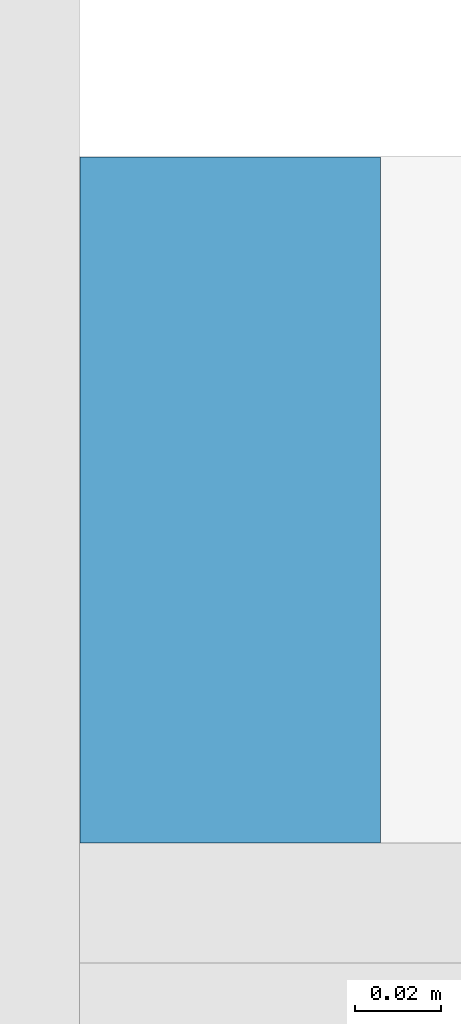
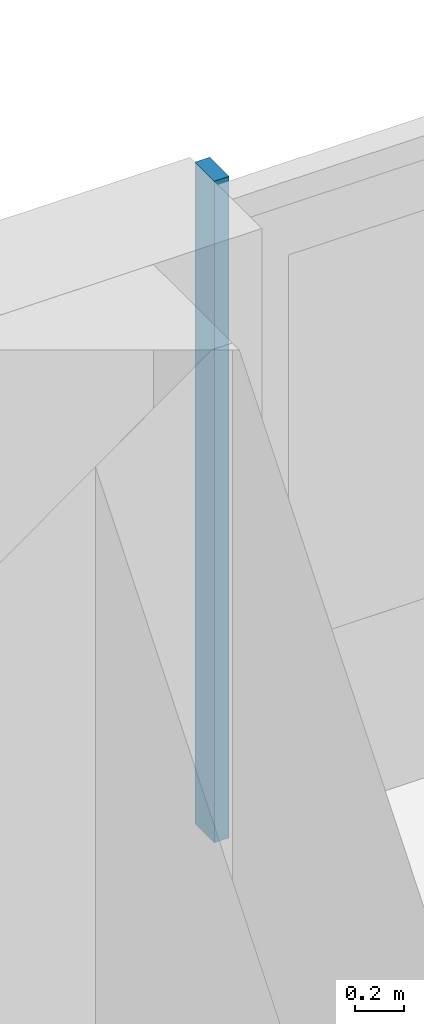
# One storey, part 10 of 27: 1 member, 1 element without a shape of its own.
"""IFC4 building model written with IfcOpenShell, lengths in metres."""

from ifc_helpers import new_model, si_unit, direction, frame, origin, origin_2d, place, context, subcontext, project, spatial, rectangle, extrude, material, material_profile, profile_set, type_object, element, aggregate, save


model = new_model("IFC4")

# Units and contexts
model_context = context("Model", 3, precision=1e-05, world=origin(), true_north=direction((0.0, 1.0)))
body_context = subcontext(model_context, "Body", "Model", "MODEL_VIEW")
ifc_project = project(units=[si_unit("LENGTHUNIT", "METRE"), si_unit("AREAUNIT", "SQUARE_METRE"), si_unit("VOLUMEUNIT", "CUBIC_METRE"), si_unit("PLANEANGLEUNIT", "RADIAN"), si_unit("MASSUNIT", "GRAM", prefix="KILO")], contexts=[model_context])

# Site, building, storey
site_placement = place(None, origin())
site = spatial("IfcSite", under=ifc_project, at=site_placement, CompositionType="ELEMENT")
building_placement = place(site_placement, origin())
building = spatial("IfcBuilding", under=site, at=building_placement, Name="Saffron Gate Tower", CompositionType="ELEMENT")
storey_placement = place(building_placement, frame((0.0, 0.0, 212.699951171875)))
storey = spatial("IfcBuildingStorey", under=building, at=storey_placement, Name="L51", CompositionType="ELEMENT", Elevation=212.699951171875)

# Curtain wall, member
ifc_material = material(Name="Aluminium, bronze anodised", Category="aluminium")
curtain_wall_type = type_object("IfcCurtainWallType", Name="CWS3 curtain wall rear facade", PredefinedType="NOTDEFINED", material=ifc_material)
curtain_wall_placement = place(storey_placement, origin())
curtain_wall = element("IfcCurtainWall", 1, at=curtain_wall_placement, inside=storey, type_object=curtain_wall_type, Name="CWS3 run 7", PredefinedType="NOTDEFINED")
ifc_material_profile = material_profile(ifc_material, rectangle(XDim=0.159912109375, YDim=0.070068359375, at=origin_2d()))
ifc_profile_set = profile_set([ifc_material_profile], Name="Aluminium, bronze anodised")
member_type = type_object("IfcMemberType", Name="CWS3 mullion 70x160", PredefinedType="MULLION", material=ifc_profile_set)
member_placement = place(storey_placement, frame((108.60009765625, 75.52001953125, 0.0), z_axis=(0.0, 0.0, 1.0), x_axis=(0.0, -1.0, 0.0)))
member = element("IfcMember", 2, at=member_placement, type_object=member_type, Name="CWS3 mullion 3", PredefinedType="MULLION", context=body_context, shape_type="SweptSolid", body=[
    extrude(rectangle(XDim=0.159912109375, YDim=0.070068359375, at=origin_2d()), origin(), (0.0, 0.0, 1.0), 3.320068359375),
])
aggregate(curtain_wall, [member])

save(model, "model.ifc")
